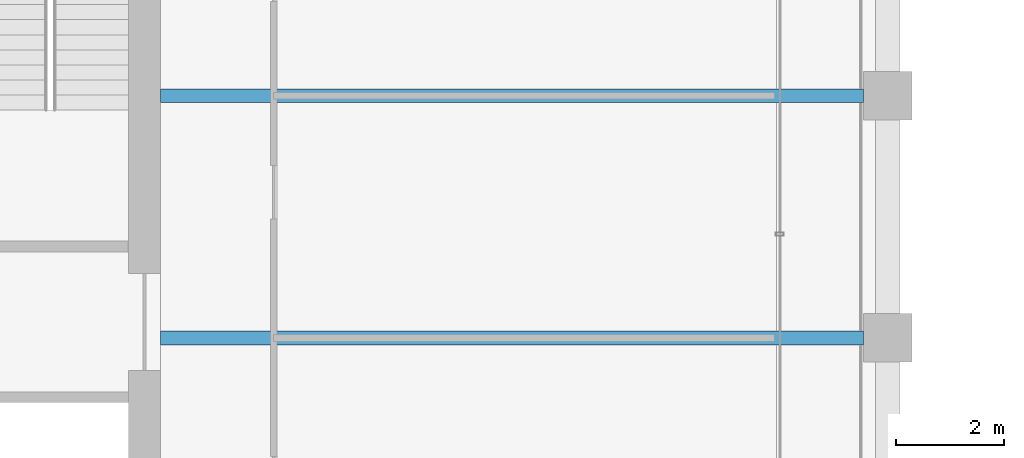
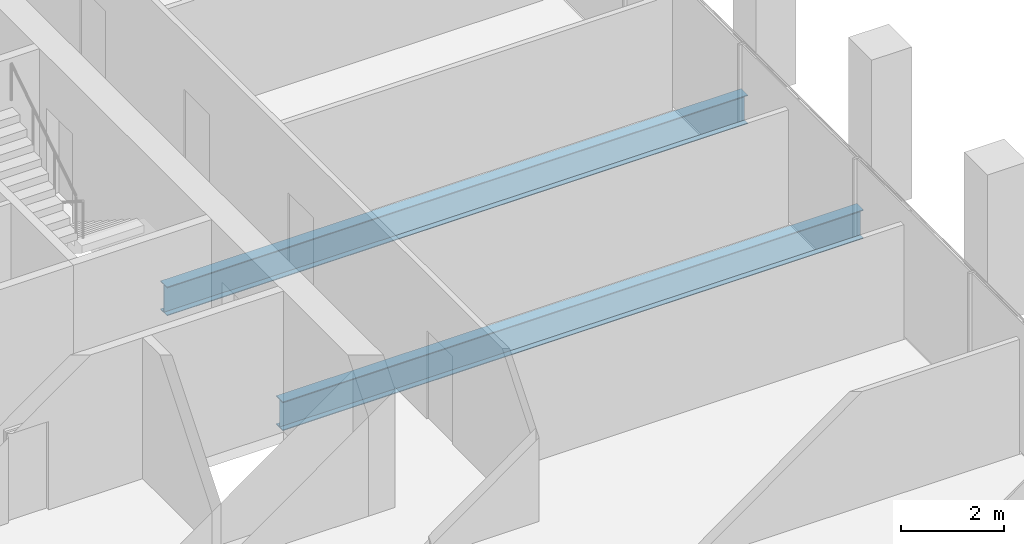
# One storey, part 16 of 40: 2 beams.
"""IFC4 building model written with IfcOpenShell, lengths in metres."""

from ifc_helpers import new_model, si_unit, direction, frame, origin, origin_2d, place, context, subcontext, project, spatial, i_section, extrude, material, material_profile, profile_set, type_object, element, save


model = new_model("IFC4")

# Units and contexts
model_context = context("Model", 3, precision=1e-05, world=origin(), true_north=direction((0.0, 1.0)))
body_context = subcontext(model_context, "Body", "Model", "MODEL_VIEW")
ifc_project = project(units=[si_unit("LENGTHUNIT", "METRE"), si_unit("AREAUNIT", "SQUARE_METRE"), si_unit("VOLUMEUNIT", "CUBIC_METRE"), si_unit("PLANEANGLEUNIT", "RADIAN"), si_unit("MASSUNIT", "GRAM", prefix="KILO")], contexts=[model_context])

# Site, building, storey
site_placement = place(None, origin())
site = spatial("IfcSite", under=ifc_project, at=site_placement, CompositionType="ELEMENT")
building_placement = place(site_placement, origin())
building = spatial("IfcBuilding", under=site, at=building_placement, Name="Altepetl Exchange Towers", CompositionType="ELEMENT")
storey_placement = place(building_placement, frame((0.0, 0.0, 151.0)))
storey = spatial("IfcBuildingStorey", under=building, at=storey_placement, Name="L37", CompositionType="ELEMENT", Elevation=151.0)

# Beams
ifc_material = material(Name="Steel S355", Category="steel")
ifc_material_profile = material_profile(ifc_material, i_section(OverallWidth=0.25390625, OverallDepth=0.68408203125, WebThickness=0.012451171875, FlangeThickness=0.018798828125, at=origin_2d()), Name="W27X94")
ifc_profile_set = profile_set([ifc_material_profile], Name="Steel S355")
beam_type = type_object("IfcBeamType", Name="Floor beam W27X94", PredefinedType="BEAM", material=ifc_profile_set)
for number, where, z_axis, x_axis, name in (
    (1, (58.5, 45.0, -0.491943359375), (1.0, 0.0, 0.0), (0.0, 1.0, 0.0), "bm:A:L37:009"),
    (2, (58.5, 49.5, -0.491943359375), (1.0, 0.0, 0.0), (0.0, 1.0, 0.0), "bm:A:L37:010"),
):
    element("IfcBeam", number, at=place(storey_placement, frame(where, z_axis=z_axis, x_axis=x_axis)), inside=storey, type_object=beam_type, Name=name, PredefinedType="BEAM", context=body_context, shape_type="SweptSolid", body=[
        extrude(i_section(OverallWidth=0.25390625, OverallDepth=0.68408203125, WebThickness=0.012451171875, FlangeThickness=0.018798828125, at=origin_2d()), origin(), (0.0, 0.0, 1.0), 13.050048828125),
    ])

save(model, "model.ifc")
